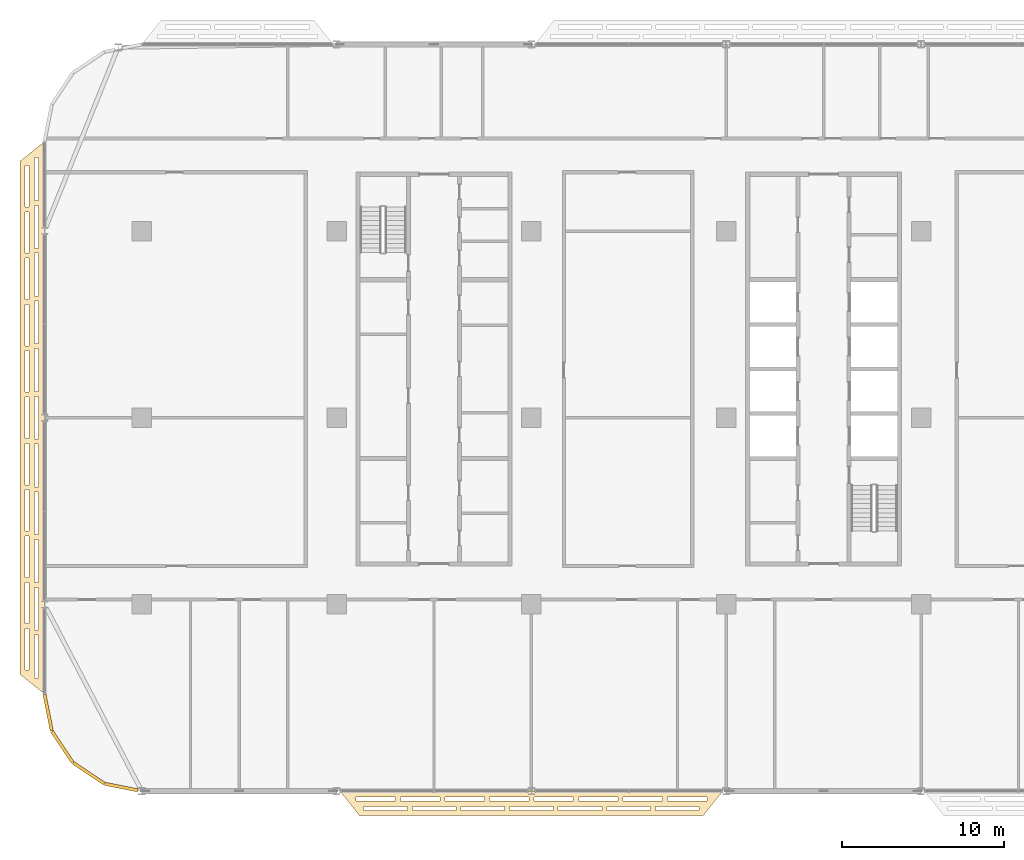
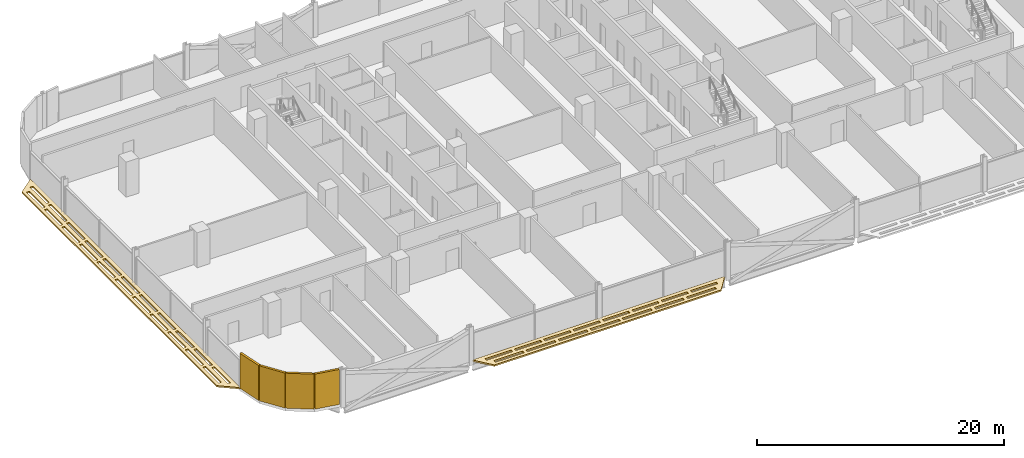
# One storey, part 22 of 27: 6 coverings.
"""IFC4 building model written with IfcOpenShell, lengths in metres."""

from ifc_helpers import new_model, si_unit, direction, frame, origin, origin_2d, place, context, subcontext, project, spatial, polyline, rectangle, outline, extrude, material, layer, layer_set, type_object, element, save


model = new_model("IFC4")

# Units and contexts
model_context = context("Model", 3, precision=1e-05, world=origin(), true_north=direction((0.0, 1.0)))
body_context = subcontext(model_context, "Body", "Model", "MODEL_VIEW")
ifc_project = project(units=[si_unit("LENGTHUNIT", "METRE"), si_unit("AREAUNIT", "SQUARE_METRE"), si_unit("VOLUMEUNIT", "CUBIC_METRE"), si_unit("PLANEANGLEUNIT", "RADIAN"), si_unit("MASSUNIT", "GRAM", prefix="KILO")], contexts=[model_context])

# Site, building, storey
site_placement = place(None, origin())
site = spatial("IfcSite", under=ifc_project, at=site_placement, CompositionType="ELEMENT")
building_placement = place(site_placement, origin())
building = spatial("IfcBuilding", under=site, at=building_placement, Name="Mahtab Terrace Research Tower", CompositionType="ELEMENT")
storey_placement = place(building_placement, frame((0.0, 0.0, 178.199951171875)))
storey = spatial("IfcBuildingStorey", under=building, at=storey_placement, Name="L42", CompositionType="ELEMENT", Elevation=178.199951171875)

# Coverings
ifc_material_1 = material(Name="Black aluminium cladding panel", Category="aluminium")
ifc_layer_1 = layer(ifc_material_1, 0.199951171875)
ifc_layer_set_1 = layer_set([ifc_layer_1], Name="Black metal corner cladding 200")
covering_type_1 = type_object("IfcCoveringType", Name="Black metal corner cladding 200", PredefinedType="CLADDING", material=ifc_layer_set_1)
for number, where, z_axis, x_axis, name in (
    (1, (-47.771484375, -18.14794921875, 0.0), (0.0, 0.0, 1.0), (0.195212442692, -0.980760981187, 0.0), "Corner cladding L42 19"),
    (2, (-46.89306640625, -20.26953125, 0.0), (0.0, 0.0, 1.0), (0.555291490808, -0.831655794326, 0.0), "Corner cladding L42 20"),
    (3, (-45.26953125, -21.89306640625, 0.0), (0.0, 0.0, 1.0), (0.831655794326, -0.555291490808, 0.0), "Corner cladding L42 21"),
):
    element("IfcCovering", number, at=place(storey_placement, frame(where, z_axis=z_axis, x_axis=x_axis)), inside=storey, type_object=covering_type_1, Name=name, PredefinedType="CLADDING", context=body_context, shape_type="SweptSolid", body=[
        extrude(rectangle(XDim=2.30126953125, YDim=0.199951171875, at=origin_2d()), origin(), (0.0, 0.0, 1.0), 3.4599609375),
    ])
covering_1_placement = place(storey_placement, frame((-43.25830078125, -22.74951171875, 0.0), z_axis=(0.0, 0.0, 1.0), x_axis=(0.980760981187, -0.195212442692, 0.0)))
element("IfcCovering", 4, at=covering_1_placement, inside=storey, type_object=covering_type_1, Name="Corner cladding L42 22", PredefinedType="CLADDING", context=body_context, shape_type="SweptSolid", body=[
    extrude(rectangle(XDim=2.07666015625, YDim=0.199951171875, at=origin_2d()), origin(), (0.0, 0.0, 1.0), 3.4599609375),
])
ifc_material_2 = material(Name="Black anodised aluminium", Category="aluminium")
ifc_layer_2 = layer(ifc_material_2, 0.14990234375)
ifc_layer_set_2 = layer_set([ifc_layer_2], Name="Horizontal sunshade band")
covering_type_2 = type_object("IfcCoveringType", Name="Horizontal sunshade band", PredefinedType="CLADDING", material=ifc_layer_set_2)
covering_2_placement = place(storey_placement, frame((0.0, 0.0, -0.14990234375)))
element("IfcCovering", 5, at=covering_2_placement, inside=storey, type_object=covering_type_2, Name="Sunshade band L42 15", PredefinedType="CLADDING", context=body_context, shape_type="SweptSolid", body=[
    extrude(outline(polyline([(-48.0, 17.0), (-48.0, -17.0), (-49.5, -15.800048828125), (-49.5, 15.800048828125), (-48.0, 17.0)]), holes=[polyline([(-48.35009765625, 16.02001953125), (-48.35009765625, 13.3798828125), (-48.60009765625, 13.3798828125), (-48.60009765625, 16.02001953125), (-48.35009765625, 16.02001953125)]), polyline([(-48.35009765625, 13.080078125), (-48.35009765625, 10.43994140625), (-48.60009765625, 10.43994140625), (-48.60009765625, 13.080078125), (-48.35009765625, 13.080078125)]), polyline([(-48.35009765625, 10.139892578125), (-48.35009765625, 7.5), (-48.60009765625, 7.5), (-48.60009765625, 10.139892578125), (-48.35009765625, 10.139892578125)]), polyline([(-48.35009765625, 7.199951171875), (-48.35009765625, 4.56005859375), (-48.60009765625, 4.56005859375), (-48.60009765625, 7.199951171875), (-48.35009765625, 7.199951171875)]), polyline([(-48.35009765625, 4.260009765625), (-48.35009765625, 1.6201171875), (-48.60009765625, 1.6201171875), (-48.60009765625, 4.260009765625), (-48.35009765625, 4.260009765625)]), polyline([(-48.35009765625, 1.320068359375), (-48.35009765625, -1.320068359375), (-48.60009765625, -1.320068359375), (-48.60009765625, 1.320068359375), (-48.35009765625, 1.320068359375)]), polyline([(-48.35009765625, -1.6201171875), (-48.35009765625, -4.260009765625), (-48.60009765625, -4.260009765625), (-48.60009765625, -1.6201171875), (-48.35009765625, -1.6201171875)]), polyline([(-48.35009765625, -4.56005859375), (-48.35009765625, -7.199951171875), (-48.60009765625, -7.199951171875), (-48.60009765625, -4.56005859375), (-48.35009765625, -4.56005859375)]), polyline([(-48.35009765625, -7.5), (-48.35009765625, -10.139892578125), (-48.60009765625, -10.139892578125), (-48.60009765625, -7.5), (-48.35009765625, -7.5)]), polyline([(-48.35009765625, -10.43994140625), (-48.35009765625, -13.080078125), (-48.60009765625, -13.080078125), (-48.60009765625, -10.43994140625), (-48.35009765625, -10.43994140625)]), polyline([(-48.35009765625, -13.3798828125), (-48.35009765625, -16.02001953125), (-48.60009765625, -16.02001953125), (-48.60009765625, -13.3798828125), (-48.35009765625, -13.3798828125)]), polyline([(-48.949951171875, 15.5400390625), (-48.949951171875, 12.987060546875), (-49.199951171875, 12.987060546875), (-49.199951171875, 15.5400390625), (-48.949951171875, 15.5400390625)]), polyline([(-48.949951171875, 12.68701171875), (-48.949951171875, 10.135009765625), (-49.199951171875, 10.135009765625), (-49.199951171875, 12.68701171875), (-48.949951171875, 12.68701171875)]), polyline([(-48.949951171875, 9.8349609375), (-48.949951171875, 7.281982421875), (-49.199951171875, 7.281982421875), (-49.199951171875, 9.8349609375), (-48.949951171875, 9.8349609375)]), polyline([(-48.949951171875, 6.98193359375), (-48.949951171875, 4.428955078125), (-49.199951171875, 4.428955078125), (-49.199951171875, 6.98193359375), (-48.949951171875, 6.98193359375)]), polyline([(-48.949951171875, 4.12890625), (-48.949951171875, 1.575927734375), (-49.199951171875, 1.575927734375), (-49.199951171875, 4.12890625), (-48.949951171875, 4.12890625)]), polyline([(-48.949951171875, 1.27587890625), (-48.949951171875, -1.27587890625), (-49.199951171875, -1.27587890625), (-49.199951171875, 1.27587890625), (-48.949951171875, 1.27587890625)]), polyline([(-48.949951171875, -1.575927734375), (-48.949951171875, -4.12890625), (-49.199951171875, -4.12890625), (-49.199951171875, -1.575927734375), (-48.949951171875, -1.575927734375)]), polyline([(-48.949951171875, -4.428955078125), (-48.949951171875, -6.98193359375), (-49.199951171875, -6.98193359375), (-49.199951171875, -4.428955078125), (-48.949951171875, -4.428955078125)]), polyline([(-48.949951171875, -7.281982421875), (-48.949951171875, -9.8349609375), (-49.199951171875, -9.8349609375), (-49.199951171875, -7.281982421875), (-48.949951171875, -7.281982421875)]), polyline([(-48.949951171875, -10.135009765625), (-48.949951171875, -12.68701171875), (-49.199951171875, -12.68701171875), (-49.199951171875, -10.135009765625), (-48.949951171875, -10.135009765625)]), polyline([(-48.949951171875, -12.987060546875), (-48.949951171875, -15.5400390625), (-49.199951171875, -15.5400390625), (-49.199951171875, -12.987060546875), (-48.949951171875, -12.987060546875)])]), origin(), (0.0, 0.0, 1.0), 0.14990234375),
])
covering_3_placement = place(storey_placement, frame((0.0, 0.0, -0.14990234375)))
element("IfcCovering", 6, at=covering_3_placement, inside=storey, type_object=covering_type_2, Name="Sunshade band L42 24", PredefinedType="CLADDING", context=body_context, shape_type="SweptSolid", body=[
    extrude(outline(polyline([(-29.7919921875, -23.0), (-6.2080078125, -23.0), (-7.407958984375, -24.5), (-28.592041015625, -24.5), (-29.7919921875, -23.0)]), holes=[polyline([(-28.81201171875, -23.35009765625), (-26.3720703125, -23.35009765625), (-26.3720703125, -23.60009765625), (-28.81201171875, -23.60009765625), (-28.81201171875, -23.35009765625)]), polyline([(-26.072021484375, -23.35009765625), (-23.631103515625, -23.35009765625), (-23.631103515625, -23.60009765625), (-26.072021484375, -23.60009765625), (-26.072021484375, -23.35009765625)]), polyline([(-23.3310546875, -23.35009765625), (-20.889892578125, -23.35009765625), (-20.889892578125, -23.60009765625), (-23.3310546875, -23.60009765625), (-23.3310546875, -23.35009765625)]), polyline([(-20.590087890625, -23.35009765625), (-18.14990234375, -23.35009765625), (-18.14990234375, -23.60009765625), (-20.590087890625, -23.60009765625), (-20.590087890625, -23.35009765625)]), polyline([(-17.85009765625, -23.35009765625), (-15.409912109375, -23.35009765625), (-15.409912109375, -23.60009765625), (-17.85009765625, -23.60009765625), (-17.85009765625, -23.35009765625)]), polyline([(-15.10888671875, -23.35009765625), (-12.6689453125, -23.35009765625), (-12.6689453125, -23.60009765625), (-15.10888671875, -23.60009765625), (-15.10888671875, -23.35009765625)]), polyline([(-12.368896484375, -23.35009765625), (-9.927978515625, -23.35009765625), (-9.927978515625, -23.60009765625), (-12.368896484375, -23.60009765625), (-12.368896484375, -23.35009765625)]), polyline([(-9.62890625, -23.35009765625), (-7.18798828125, -23.35009765625), (-7.18798828125, -23.60009765625), (-9.62890625, -23.60009765625), (-9.62890625, -23.35009765625)]), polyline([(-28.33203125, -23.949951171875), (-25.636962890625, -23.949951171875), (-25.636962890625, -24.199951171875), (-28.33203125, -24.199951171875), (-28.33203125, -23.949951171875)]), polyline([(-25.3369140625, -23.949951171875), (-22.64208984375, -23.949951171875), (-22.64208984375, -24.199951171875), (-25.3369140625, -24.199951171875), (-25.3369140625, -23.949951171875)]), polyline([(-22.342041015625, -23.949951171875), (-19.64697265625, -23.949951171875), (-19.64697265625, -24.199951171875), (-22.342041015625, -24.199951171875), (-22.342041015625, -23.949951171875)]), polyline([(-19.346923828125, -23.949951171875), (-16.653076171875, -23.949951171875), (-16.653076171875, -24.199951171875), (-19.346923828125, -24.199951171875), (-19.346923828125, -23.949951171875)]), polyline([(-16.35302734375, -23.949951171875), (-13.657958984375, -23.949951171875), (-13.657958984375, -24.199951171875), (-16.35302734375, -24.199951171875), (-16.35302734375, -23.949951171875)]), polyline([(-13.35791015625, -23.949951171875), (-10.6630859375, -23.949951171875), (-10.6630859375, -24.199951171875), (-13.35791015625, -24.199951171875), (-13.35791015625, -23.949951171875)]), polyline([(-10.363037109375, -23.949951171875), (-7.66796875, -23.949951171875), (-7.66796875, -24.199951171875), (-10.363037109375, -24.199951171875), (-10.363037109375, -23.949951171875)])]), origin(), (0.0, 0.0, 1.0), 0.14990234375),
])

save(model, "model.ifc")
